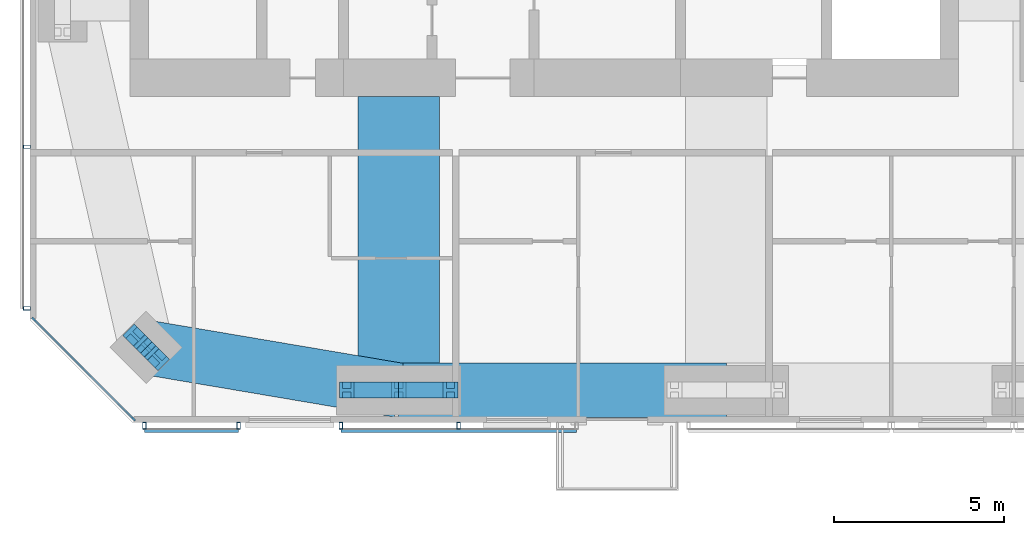
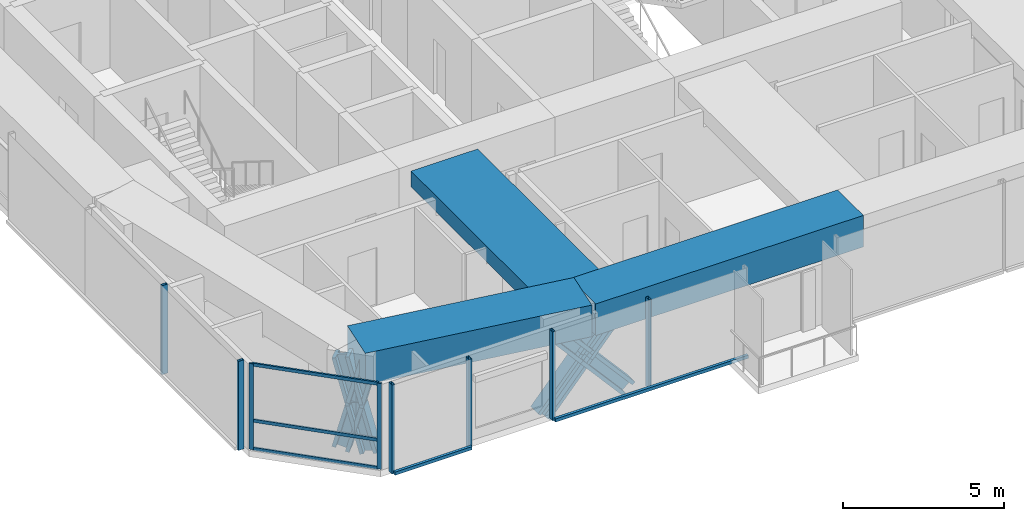
# One storey, part 2 of 18: 21 members, 3 beams, 4 elements without a shape of their own.
"""IFC4 building model written with IfcOpenShell, lengths in metres."""

from ifc_helpers import new_model, si_unit, direction, frame, origin, origin_2d, place, context, subcontext, project, spatial, rectangle, hollow_rectangle, i_section, extrude, material, material_profile, profile_set, type_object, element, aggregate, save


model = new_model("IFC4")

# Units and contexts
model_context = context("Model", 3, precision=1e-05, world=origin(), true_north=direction((0.0, 1.0)))
body_context = subcontext(model_context, "Body", "Model", "MODEL_VIEW")
ifc_project = project(units=[si_unit("LENGTHUNIT", "METRE"), si_unit("AREAUNIT", "SQUARE_METRE"), si_unit("VOLUMEUNIT", "CUBIC_METRE"), si_unit("PLANEANGLEUNIT", "RADIAN"), si_unit("MASSUNIT", "GRAM", prefix="KILO")], contexts=[model_context])

# Site, building, storey
site_placement = place(None, origin())
site = spatial("IfcSite", under=ifc_project, at=site_placement, CompositionType="ELEMENT")
building_placement = place(site_placement, origin())
building = spatial("IfcBuilding", under=site, at=building_placement, Name="Jalousie Tower", CompositionType="ELEMENT")
storey_placement = place(building_placement, frame((0.0, 0.0, 231.949951171875)))
storey = spatial("IfcBuildingStorey", under=building, at=storey_placement, Name="L63", CompositionType="ELEMENT", Elevation=231.949951171875)

# Curtain wall, members
ifc_material_1 = material(Name="Aluminium curtain wall", Category="aluminium")
curtain_wall_type_1 = type_object("IfcCurtainWallType", Name="CORNER WINDOW WALL", PredefinedType="USERDEFINED", material=ifc_material_1)
curtain_wall_1_placement = place(storey_placement, origin())
curtain_wall_1 = element("IfcCurtainWall", 1, at=curtain_wall_1_placement, inside=storey, type_object=curtain_wall_type_1, Name="Corner Window Wall L63 8", ObjectType="CORNER WINDOW WALL", PredefinedType="USERDEFINED")
ifc_material_2 = material(Name="Aluminium mullion", Category="aluminium")
ifc_material_profile_1 = material_profile(ifc_material_2, rectangle(XDim=0.06005859375, YDim=0.14990234375, at=origin_2d()), Name="MULLION 60x150")
ifc_profile_set_1 = profile_set([ifc_material_profile_1], Name="Aluminium mullion")
member_type_1 = type_object("IfcMemberType", Name="CORNER WINDOW WALL MULLION", PredefinedType="MULLION", material=ifc_profile_set_1)
member_1_placement = place(storey_placement, frame((16.90869140625, 3.030029296875, 0.0), z_axis=(0.0, 0.0, 1.0), x_axis=(0.707106781187, 0.707106781187, 0.0)))
member_1 = element("IfcMember", 2, at=member_1_placement, type_object=member_type_1, Name="CW-C mullion 1", PredefinedType="MULLION", context=body_context, shape_type="SweptSolid", body=[
    extrude(rectangle(XDim=0.06005859375, YDim=0.14990234375, at=origin_2d()), origin(), (0.0, 0.0, 1.0), 3.260009765625),
])
member_2_placement = place(storey_placement, frame((19.830078125, 0.108642578125, 0.0), z_axis=(0.0, 0.0, 1.0), x_axis=(0.707106781187, 0.707106781187, 0.0)))
member_2 = element("IfcMember", 3, at=member_2_placement, type_object=member_type_1, Name="CW-C mullion 2", PredefinedType="MULLION", context=body_context, shape_type="SweptSolid", body=[
    extrude(rectangle(XDim=0.06005859375, YDim=0.14990234375, at=origin_2d()), origin(), (0.0, 0.0, 1.0), 3.260009765625),
])
ifc_material_3 = material(Name="Aluminium transom", Category="aluminium")
ifc_material_profile_2 = material_profile(ifc_material_3, rectangle(XDim=0.06005859375, YDim=0.1201171875, at=origin_2d()), Name="TRANSOM 60x120")
ifc_profile_set_2 = profile_set([ifc_material_profile_2], Name="Aluminium transom")
member_type_2 = type_object("IfcMemberType", Name="CORNER WINDOW WALL TRANSOM", PredefinedType="USERDEFINED", material=ifc_profile_set_2)
member_3_placement = place(storey_placement, frame((16.929931640625, 3.0087890625, 0.030029296875), z_axis=(0.707106781187, -0.707106781187, 0.0), x_axis=(0.707106781187, 0.707106781187, 0.0)))
member_3 = element("IfcMember", 4, at=member_3_placement, type_object=member_type_2, Name="CW-C transom 1.1", ObjectType="TRANSOM", PredefinedType="USERDEFINED", context=body_context, shape_type="SweptSolid", body=[
    extrude(rectangle(XDim=0.06005859375, YDim=0.1201171875, at=origin_2d()), origin(), (0.0, 0.0, 1.0), 4.0712890625),
])
member_4_placement = place(storey_placement, frame((16.929931640625, 3.0087890625, 1.10009765625), z_axis=(0.707106781187, -0.707106781187, 0.0), x_axis=(0.707106781187, 0.707106781187, 0.0)))
member_4 = element("IfcMember", 5, at=member_4_placement, type_object=member_type_2, Name="CW-C transom 1.2", ObjectType="TRANSOM", PredefinedType="USERDEFINED", context=body_context, shape_type="SweptSolid", body=[
    extrude(rectangle(XDim=0.06005859375, YDim=0.1201171875, at=origin_2d()), origin(), (0.0, 0.0, 1.0), 4.0712890625),
])
member_5_placement = place(storey_placement, frame((16.929931640625, 3.0087890625, 3.22998046875), z_axis=(0.707106781187, -0.707106781187, 0.0), x_axis=(0.707106781187, 0.707106781187, 0.0)))
member_5 = element("IfcMember", 6, at=member_5_placement, type_object=member_type_2, Name="CW-C transom 1.3", ObjectType="TRANSOM", PredefinedType="USERDEFINED", context=body_context, shape_type="SweptSolid", body=[
    extrude(rectangle(XDim=0.06005859375, YDim=0.1201171875, at=origin_2d()), origin(), (0.0, 0.0, 1.0), 4.0712890625),
])
aggregate(curtain_wall_1, [member_1, member_2, member_3, member_4, member_5])

# Members
ifc_material_4 = material(Name="Steel ASTM A992 Grade 50", Category="steel")
ifc_material_profile_3 = material_profile(ifc_material_4, i_section(OverallWidth=0.472412109375, OverallDepth=0.5791015625, WebThickness=0.094970703125, FlangeThickness=0.1298828125, at=origin_2d()), Name="W14X808")
ifc_profile_set_3 = profile_set([ifc_material_profile_3], Name="Steel ASTM A992 Grade 50")
member_type_3 = type_object("IfcMemberType", Name="PERIMETER BRACE W14X808", PredefinedType="BRACE", material=ifc_profile_set_3)
for number, where, z_axis, x_axis, name in (
    (7, (19.888916015625, 2.525390625, -0.599853515625), (0.176051427143, -0.17618653952, 0.968485517854), (0.707377963048, 0.706835495285, 0.0), "Perimeter brace 01 L63 part 1"),
    (8, (20.20703125, 2.20703125, 1.150146484375), (0.17618653952, -0.176051427143, 0.968485517854), (0.706835495285, 0.707377963048, 0.0), "Perimeter brace 01 L63 part 2"),
    (9, (20.525390625, 1.888916015625, -0.599853515625), (-0.17618653952, 0.176051427143, 0.968485517854), (-0.706835495285, -0.707377963048, 0.0), "Perimeter brace 01 L63 part 3"),
    (10, (20.20703125, 2.20703125, 1.150146484375), (-0.176051427143, 0.17618653952, 0.968485517854), (-0.707377963048, -0.706835495285, 0.0), "Perimeter brace 01 L63 part 4"),
):
    element("IfcMember", number, at=place(storey_placement, frame(where, z_axis=z_axis, x_axis=x_axis)), inside=storey, type_object=member_type_3, Name=name, PredefinedType="BRACE", context=body_context, shape_type="SweptSolid", body=[
        extrude(i_section(OverallWidth=0.472412109375, OverallDepth=0.5791015625, WebThickness=0.094970703125, FlangeThickness=0.1298828125, at=origin_2d()), origin(), (0.0, 0.0, 1.0), 1.806884765625),
    ])
for number, where, z_axis, x_axis, name in (
    (11, (26.10009765625, 0.949951171875, -0.599853515625), (0.65695436777, 0.0, 0.753930340726), (0.0, 1.0, 0.0), "Perimeter brace 02 L63 part 1"),
    (12, (27.625, 0.949951171875, 1.150146484375), (0.65695436777, 0.0, 0.753930340726), (0.0, 1.0, 0.0), "Perimeter brace 02 L63 part 2"),
    (13, (29.14990234375, 0.949951171875, -0.599853515625), (-0.65695436777, 0.0, 0.753930340726), (0.0, -1.0, 0.0), "Perimeter brace 02 L63 part 3"),
    (14, (27.625, 0.949951171875, 1.150146484375), (-0.65695436777, 0.0, 0.753930340726), (0.0, -1.0, 0.0), "Perimeter brace 02 L63 part 4"),
):
    element("IfcMember", number, at=place(storey_placement, frame(where, z_axis=z_axis, x_axis=x_axis)), inside=storey, type_object=member_type_3, Name=name, PredefinedType="BRACE", context=body_context, shape_type="SweptSolid", body=[
        extrude(i_section(OverallWidth=0.472412109375, OverallDepth=0.5791015625, WebThickness=0.094970703125, FlangeThickness=0.1298828125, at=origin_2d()), origin(), (0.0, 0.0, 1.0), 2.3212890625),
    ])

# Beams
ifc_material_5 = material(Name="Concrete f'c 40 MPa", Category="concrete")
ifc_material_profile_4 = material_profile(ifc_material_5, rectangle(XDim=1.60009765625, YDim=1.199951171875, at=origin_2d()), Name="RC 1600x1200")
ifc_profile_set_4 = profile_set([ifc_material_profile_4], Name="Concrete f'c 40 MPa")
beam_type_1 = type_object("IfcBeamType", Name="RC BEAM 1600x1200", PredefinedType="BEAM", material=ifc_profile_set_4)
beam_1_placement = place(storey_placement, frame((20.20703125, 2.20703125, 2.900146484375), z_axis=(0.985942997446, -0.167082033105, 0.0), x_axis=(0.167082033105, 0.985942997446, 0.0)))
element("IfcBeam", 15, at=beam_1_placement, inside=storey, type_object=beam_type_1, Name="Edge band beam 01-02 under L64", PredefinedType="BEAM", context=body_context, shape_type="SweptSolid", body=[
    extrude(rectangle(XDim=1.60009765625, YDim=1.199951171875, at=origin_2d()), origin(), (0.0, 0.0, 1.0), 7.523681640625),
])
beam_2_placement = place(storey_placement, frame((27.625, 0.949951171875, 2.900146484375), z_axis=(1.0, 0.0, 0.0), x_axis=(0.0, 1.0, 0.0)))
element("IfcBeam", 16, at=beam_2_placement, inside=storey, type_object=beam_type_1, Name="Edge band beam 02-03 under L64", PredefinedType="BEAM", context=body_context, shape_type="SweptSolid", body=[
    extrude(rectangle(XDim=1.60009765625, YDim=1.199951171875, at=origin_2d()), origin(), (0.0, 0.0, 1.0), 9.625),
])
ifc_material_6 = material(Name="Concrete f'c 40 MPa", Category="concrete")
ifc_material_profile_5 = material_profile(ifc_material_6, rectangle(XDim=2.39990234375, YDim=0.60009765625, at=origin_2d()), Name="RC 2400x600")
ifc_profile_set_5 = profile_set([ifc_material_profile_5], Name="Concrete f'c 40 MPa")
beam_type_2 = type_object("IfcBeamType", Name="RC BEAM 2400x600", PredefinedType="BEAM", material=ifc_profile_set_5)
beam_3_placement = place(storey_placement, frame((27.625, 0.949951171875, 2.9599609375), z_axis=(0.0, 1.0, 0.0), x_axis=(-1.0, 0.0, 0.0)))
element("IfcBeam", 17, at=beam_3_placement, inside=storey, type_object=beam_type_2, Name="Floor band beam under L64", PredefinedType="BEAM", context=body_context, shape_type="SweptSolid", body=[
    extrude(rectangle(XDim=2.39990234375, YDim=0.60009765625, at=origin_2d()), origin(), (0.0, 0.0, 1.0), 8.625),
])

# Curtain wall, members
ifc_material_7 = material(Name="Perforated aluminium sheet", Category="aluminium")
curtain_wall_type_2 = type_object("IfcCurtainWallType", Name="SOLAR SCREEN SS-2", PredefinedType="USERDEFINED", material=ifc_material_7)
curtain_wall_2_placement = place(storey_placement, origin())
curtain_wall_2 = element("IfcCurtainWall", 18, at=curtain_wall_2_placement, inside=storey, type_object=curtain_wall_type_2, Name="Solar screen L63", ObjectType="SOLAR SCREEN SS-2", PredefinedType="USERDEFINED")
ifc_material_8 = material(Name="Steel ASTM A500 Grade C", Category="steel")
ifc_material_profile_6 = material_profile(ifc_material_8, hollow_rectangle(XDim=0.1015625, YDim=0.203125, WallThickness=0.0078125, at=origin_2d()), Name="HSS8X4X5/16")
ifc_profile_set_6 = profile_set([ifc_material_profile_6], Name="Steel ASTM A500 Grade C")
member_type_4 = type_object("IfcMemberType", Name="SOLAR SCREEN SS-2 MULLION", PredefinedType="MULLION", material=ifc_profile_set_6)
member_6_placement = place(storey_placement, frame((20.1513671875, -0.0966796875, -0.119873046875), z_axis=(0.0, 0.0, 1.0), x_axis=(1.0, 0.0, 0.0)))
member_6 = element("IfcMember", 19, at=member_6_placement, type_object=member_type_4, Name="SS2 post 1", PredefinedType="MULLION", context=body_context, shape_type="SweptSolid", body=[
    extrude(hollow_rectangle(XDim=0.1015625, YDim=0.203125, WallThickness=0.0078125, at=origin_2d()), origin(), (0.0, 0.0, 1.0), 3.3798828125),
])
member_7_placement = place(storey_placement, frame((22.923828125, -0.0966796875, -0.119873046875), z_axis=(0.0, 0.0, 1.0), x_axis=(1.0, 0.0, 0.0)))
member_7 = element("IfcMember", 20, at=member_7_placement, type_object=member_type_4, Name="SS2 post 2", PredefinedType="MULLION", context=body_context, shape_type="SweptSolid", body=[
    extrude(hollow_rectangle(XDim=0.1015625, YDim=0.203125, WallThickness=0.0078125, at=origin_2d()), origin(), (0.0, 0.0, 1.0), 3.3798828125),
])

curtain_wall_3_placement = place(storey_placement, origin())
curtain_wall_3 = element("IfcCurtainWall", 21, at=curtain_wall_3_placement, inside=storey, type_object=curtain_wall_type_2, Name="Solar screen L63", ObjectType="SOLAR SCREEN SS-2", PredefinedType="USERDEFINED")
member_8_placement = place(storey_placement, frame((25.923828125, -0.0966796875, -0.119873046875), z_axis=(0.0, 0.0, 1.0), x_axis=(1.0, 0.0, 0.0)))
member_8 = element("IfcMember", 22, at=member_8_placement, type_object=member_type_4, Name="SS2 post 1", PredefinedType="MULLION", context=body_context, shape_type="SweptSolid", body=[
    extrude(hollow_rectangle(XDim=0.1015625, YDim=0.203125, WallThickness=0.0078125, at=origin_2d()), origin(), (0.0, 0.0, 1.0), 3.3798828125),
])
member_9_placement = place(storey_placement, frame((29.386962890625, -0.0966796875, -0.119873046875), z_axis=(0.0, 0.0, 1.0), x_axis=(1.0, 0.0, 0.0)))
member_9 = element("IfcMember", 23, at=member_9_placement, type_object=member_type_4, Name="SS2 post 2", PredefinedType="MULLION", context=body_context, shape_type="SweptSolid", body=[
    extrude(hollow_rectangle(XDim=0.1015625, YDim=0.203125, WallThickness=0.0078125, at=origin_2d()), origin(), (0.0, 0.0, 1.0), 3.3798828125),
])

curtain_wall_4_placement = place(storey_placement, origin())
curtain_wall_4 = element("IfcCurtainWall", 24, at=curtain_wall_4_placement, inside=storey, type_object=curtain_wall_type_2, Name="Solar screen L63", ObjectType="SOLAR SCREEN SS-2", PredefinedType="USERDEFINED")
member_10_placement = place(storey_placement, frame((16.703369140625, 8.100830078125, -0.119873046875), z_axis=(0.0, 0.0, 1.0), x_axis=(0.0, -1.0, 0.0)))
member_10 = element("IfcMember", 25, at=member_10_placement, type_object=member_type_4, Name="SS2 post 3", PredefinedType="MULLION", context=body_context, shape_type="SweptSolid", body=[
    extrude(hollow_rectangle(XDim=0.1015625, YDim=0.203125, WallThickness=0.0078125, at=origin_2d()), origin(), (0.0, 0.0, 1.0), 3.3798828125),
])
member_11_placement = place(storey_placement, frame((16.703369140625, 3.351318359375, -0.119873046875), z_axis=(0.0, 0.0, 1.0), x_axis=(0.0, -1.0, 0.0)))
member_11 = element("IfcMember", 26, at=member_11_placement, type_object=member_type_4, Name="SS2 post 4", PredefinedType="MULLION", context=body_context, shape_type="SweptSolid", body=[
    extrude(hollow_rectangle(XDim=0.1015625, YDim=0.203125, WallThickness=0.0078125, at=origin_2d()), origin(), (0.0, 0.0, 1.0), 3.3798828125),
])
aggregate(curtain_wall_4, [member_10, member_11])

# Member
ifc_material_9 = material(Name="Extruded aluminium screen rail", Category="aluminium")
ifc_material_profile_7 = material_profile(ifc_material_9, rectangle(XDim=0.1015625, YDim=0.1201171875, at=origin_2d()), Name="RAIL 102x120")
ifc_profile_set_7 = profile_set([ifc_material_profile_7], Name="Extruded aluminium screen rail")
member_type_5 = type_object("IfcMemberType", Name="SOLAR SCREEN SS-2 TRANSOM", PredefinedType="USERDEFINED", material=ifc_profile_set_7)
member_12_placement = place(storey_placement, frame((20.1513671875, -0.2490234375, -0.06005859375), z_axis=(1.0, 0.0, 0.0), x_axis=(0.0, 1.0, 0.0)))
member_12 = element("IfcMember", 27, at=member_12_placement, type_object=member_type_5, Name="SS2 rail", ObjectType="TRANSOM", PredefinedType="USERDEFINED", context=body_context, shape_type="SweptSolid", body=[
    extrude(rectangle(XDim=0.1015625, YDim=0.1201171875, at=origin_2d()), origin(), (0.0, 0.0, 1.0), 2.7724609375),
])

aggregate(curtain_wall_2, [member_6, member_7, member_12])

member_13_placement = place(storey_placement, frame((25.923828125, -0.2490234375, -0.06005859375), z_axis=(1.0, 0.0, 0.0), x_axis=(0.0, 1.0, 0.0)))
member_13 = element("IfcMember", 28, at=member_13_placement, type_object=member_type_5, Name="SS2 rail", ObjectType="TRANSOM", PredefinedType="USERDEFINED", context=body_context, shape_type="SweptSolid", body=[
    extrude(rectangle(XDim=0.1015625, YDim=0.1201171875, at=origin_2d()), origin(), (0.0, 0.0, 1.0), 6.92626953125),
])

aggregate(curtain_wall_3, [member_8, member_9, member_13])

save(model, "model.ifc")
